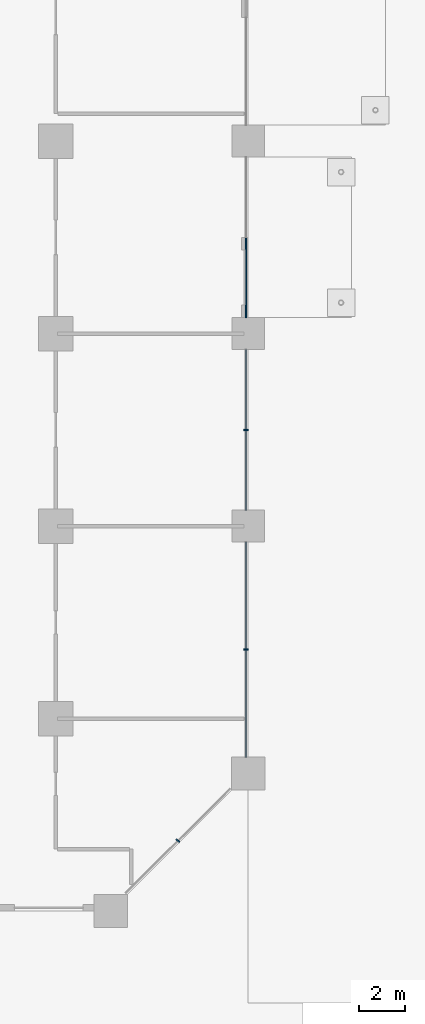
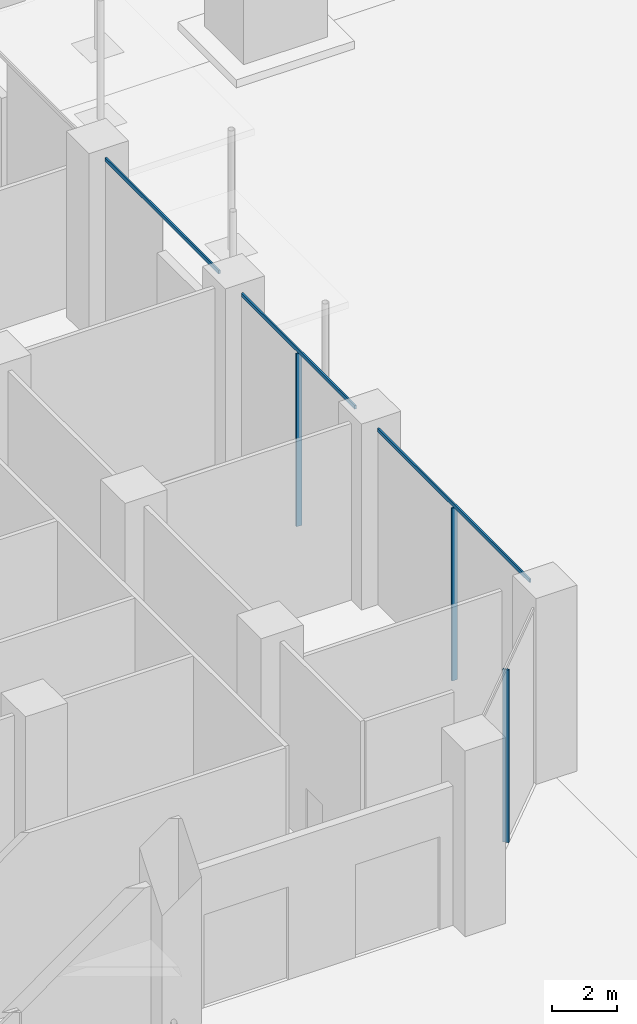
# One storey, part 10 of 32: 6 members, 2 elements without a shape of their own.
"""IFC4 building model written with IfcOpenShell, lengths in metres."""

from ifc_helpers import new_model, si_unit, direction, frame, origin, origin_2d, place, context, subcontext, project, spatial, rectangle, extrude, material, layer, layer_set, material_profile, profile_set, type_object, element, aggregate, save


model = new_model("IFC4")

# Units and contexts
model_context = context("Model", 3, precision=1e-05, world=origin(), true_north=direction((0.0, 1.0)))
body_context = subcontext(model_context, "Body", "Model", "MODEL_VIEW")
ifc_project = project(units=[si_unit("LENGTHUNIT", "METRE"), si_unit("AREAUNIT", "SQUARE_METRE"), si_unit("VOLUMEUNIT", "CUBIC_METRE"), si_unit("PLANEANGLEUNIT", "RADIAN"), si_unit("MASSUNIT", "GRAM", prefix="KILO")], contexts=[model_context])

# Site, building, storey
site_placement = place(None, origin())
site = spatial("IfcSite", under=ifc_project, at=site_placement, CompositionType="ELEMENT")
building_placement = place(site_placement, origin())
building = spatial("IfcBuilding", under=site, at=building_placement, Name="Kawkab Arch Medical Tower", CompositionType="ELEMENT")
storey_placement = place(building_placement, origin())
storey = spatial("IfcBuildingStorey", under=building, at=storey_placement, Name="L01", CompositionType="ELEMENT", Elevation=0.0)

# Curtain wall, member
ifc_material_1 = material(Name="Bronze anodised aluminium curtain wall frame", Category="aluminium")
ifc_layer = layer(ifc_material_1, 0.159912109375)
ifc_layer_set = layer_set([ifc_layer], Name="Bronze anodised aluminium curtain wall frame")
curtain_wall_type = type_object("IfcCurtainWallType", Name="CW5 podium green glass curtain wall", PredefinedType="NOTDEFINED", material=ifc_layer_set)
placement = place(storey_placement, origin())
curtain_wall_1 = element("IfcCurtainWall", 1, at=placement, inside=storey, type_object=curtain_wall_type, Name="CW5 Podium green glass curtain wall R01", PredefinedType="NOTDEFINED")
ifc_material_2 = material(Name="Bronze anodised aluminium curtain wall frame", Category="aluminium")
ifc_material_profile_1 = material_profile(ifc_material_2, rectangle(XDim=0.199951171875, YDim=0.06005859375, at=origin_2d()), Name="AL 60x200")
ifc_profile_set_1 = profile_set([ifc_material_profile_1], Name="Bronze anodised aluminium curtain wall frame")
member_type_1 = type_object("IfcMemberType", Name="CW5 mullion 60 x 200", PredefinedType="MULLION", material=ifc_profile_set_1)
member_1_placement = place(storey_placement, frame((30.529296875, -80.92919921875, 0.0), z_axis=(0.0, 0.0, 1.0), x_axis=(-0.707106781187, 0.707106781187, 0.0)))
member_1 = element("IfcMember", 2, at=member_1_placement, type_object=member_type_1, Name="CW5 mullion 1.1", PredefinedType="MULLION", context=body_context, shape_type="SweptSolid", body=[
    extrude(rectangle(XDim=0.199951171875, YDim=0.06005859375, at=origin_2d()), origin(), (0.0, 0.0, 1.0), 6.510009765625),
])
aggregate(curtain_wall_1, [member_1])

# Curtain wall, members
curtain_wall_2 = element("IfcCurtainWall", 3, at=placement, inside=storey, type_object=curtain_wall_type, Name="CW5 Podium green glass curtain wall R02", PredefinedType="NOTDEFINED")
member_2_placement = place(storey_placement, frame((33.5, -72.58740234375, 0.0), z_axis=(0.0, 0.0, 1.0), x_axis=(-1.0, 0.0, 0.0)))
member_2 = element("IfcMember", 4, at=member_2_placement, type_object=member_type_1, Name="CW5 mullion 1.1", PredefinedType="MULLION", context=body_context, shape_type="SweptSolid", body=[
    extrude(rectangle(XDim=0.199951171875, YDim=0.06005859375, at=origin_2d()), origin(), (0.0, 0.0, 1.0), 6.510009765625),
])
member_3_placement = place(storey_placement, frame((33.5, -63.0, 0.0), z_axis=(0.0, 0.0, 1.0), x_axis=(-1.0, 0.0, 0.0)))
member_3 = element("IfcMember", 5, at=member_3_placement, type_object=member_type_1, Name="CW5 mullion 2.1", PredefinedType="MULLION", context=body_context, shape_type="SweptSolid", body=[
    extrude(rectangle(XDim=0.199951171875, YDim=0.06005859375, at=origin_2d()), origin(), (0.0, 0.0, 1.0), 6.510009765625),
])
ifc_material_3 = material(Name="Bronze anodised aluminium curtain wall frame", Category="aluminium")
ifc_material_profile_2 = material_profile(ifc_material_3, rectangle(XDim=0.06005859375, YDim=0.139892578125, at=origin_2d()), Name="AL 60x140")
ifc_profile_set_2 = profile_set([ifc_material_profile_2], Name="Bronze anodised aluminium curtain wall frame")
member_type_2 = type_object("IfcMemberType", Name="CW5 transom 140 x 60", PredefinedType="USERDEFINED", material=ifc_profile_set_2)
member_4_placement = place(storey_placement, frame((33.5, -77.27490234375, 6.580078125), z_axis=(0.0, 1.0, 0.0), x_axis=(-1.0, 0.0, 0.0)))
member_4 = element("IfcMember", 6, at=member_4_placement, type_object=member_type_2, Name="CW5 transom 1", ObjectType="TRANSOM", PredefinedType="USERDEFINED", context=body_context, shape_type="SweptSolid", body=[
    extrude(rectangle(XDim=0.06005859375, YDim=0.139892578125, at=origin_2d()), origin(), (0.0, 0.0, 1.0), 9.375),
])
member_5_placement = place(storey_placement, frame((33.5, -66.5, 6.580078125), z_axis=(0.0, 1.0, 0.0), x_axis=(-1.0, 0.0, 0.0)))
member_5 = element("IfcMember", 7, at=member_5_placement, type_object=member_type_2, Name="CW5 transom 2", ObjectType="TRANSOM", PredefinedType="USERDEFINED", context=body_context, shape_type="SweptSolid", body=[
    extrude(rectangle(XDim=0.06005859375, YDim=0.139892578125, at=origin_2d()), origin(), (0.0, 0.0, 1.0), 7.0),
])
member_6_placement = place(storey_placement, frame((33.5, -58.10009765625, 6.580078125), z_axis=(0.0, 1.0, 0.0), x_axis=(-1.0, 0.0, 0.0)))
member_6 = element("IfcMember", 8, at=member_6_placement, type_object=member_type_2, Name="CW5 transom 3", ObjectType="TRANSOM", PredefinedType="USERDEFINED", context=body_context, shape_type="SweptSolid", body=[
    extrude(rectangle(XDim=0.06005859375, YDim=0.139892578125, at=origin_2d()), origin(), (0.0, 0.0, 1.0), 7.0),
])
aggregate(curtain_wall_2, [member_4, member_2, member_5, member_3, member_6])

save(model, "model.ifc")
